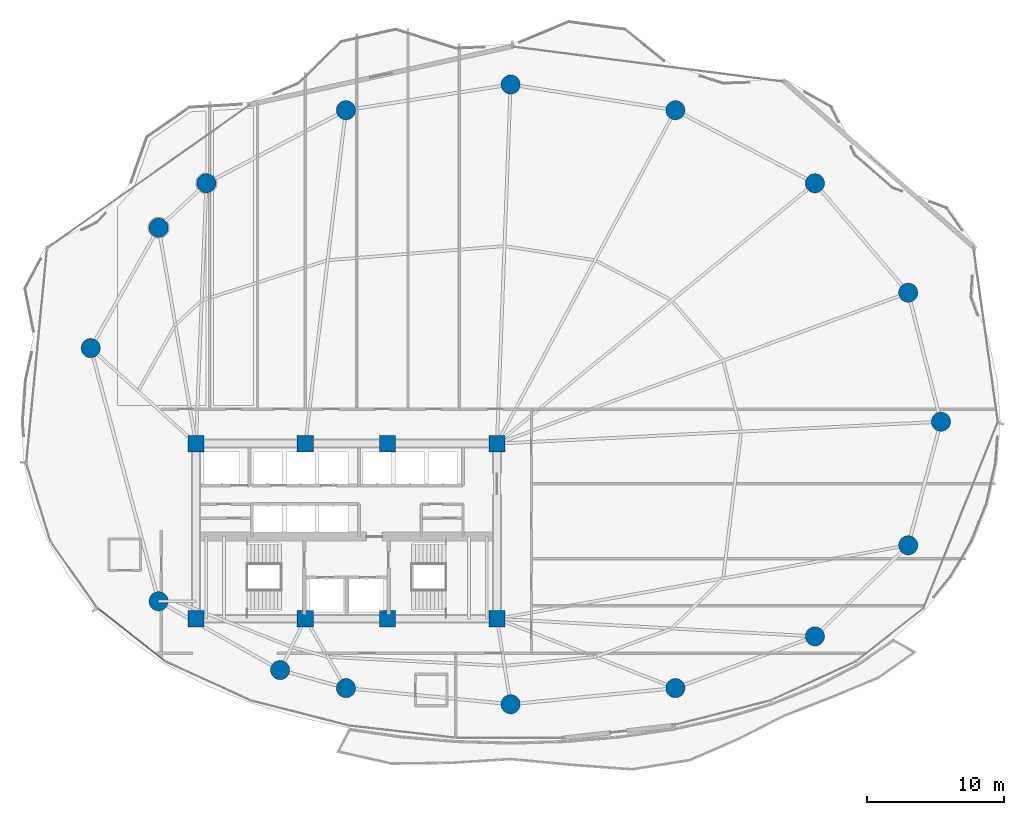
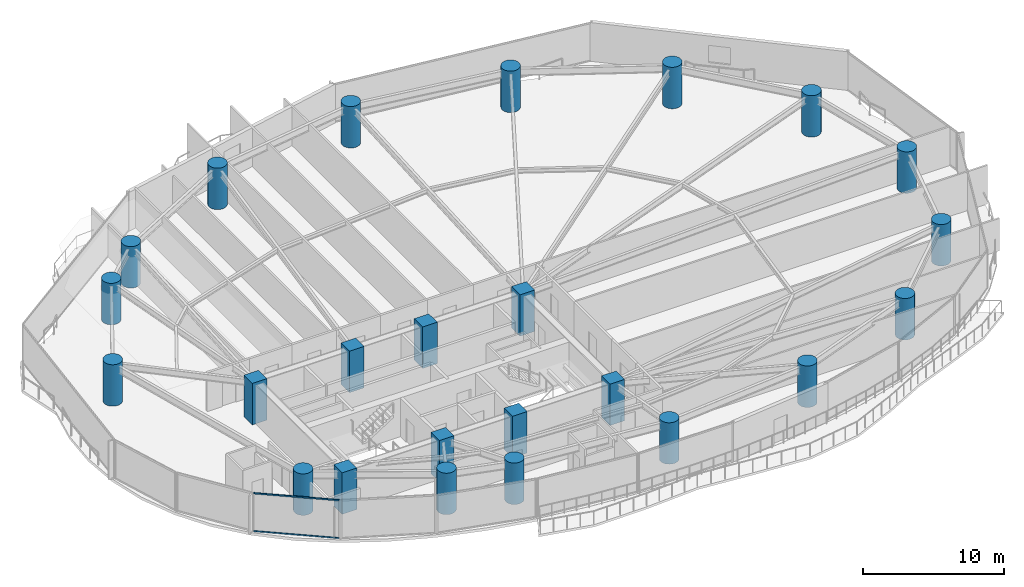
# One storey, part 1 of 31: 24 columns, 2 members, 1 element without a shape of its own.
"""IFC4 building model written with IfcOpenShell, lengths in metres."""

from ifc_helpers import new_model, si_unit, direction, frame, origin, origin_2d, place, context, subcontext, project, spatial, rectangle, hollow_rectangle, circle, extrude, material, layer, layer_set, material_profile, profile_set, type_object, element, aggregate, save


model = new_model("IFC4")

# Units and contexts
model_context = context("Model", 3, precision=1e-05, world=origin(), true_north=direction((0.0, 1.0)))
body_context = subcontext(model_context, "Body", "Model", "MODEL_VIEW")
ifc_project = project(units=[si_unit("LENGTHUNIT", "METRE"), si_unit("AREAUNIT", "SQUARE_METRE"), si_unit("VOLUMEUNIT", "CUBIC_METRE"), si_unit("PLANEANGLEUNIT", "RADIAN"), si_unit("MASSUNIT", "GRAM", prefix="KILO")], contexts=[model_context])

# Site, building, storey
site_placement = place(None, origin())
site = spatial("IfcSite", under=ifc_project, at=site_placement, CompositionType="ELEMENT")
building_placement = place(site_placement, origin())
building = spatial("IfcBuilding", under=site, at=building_placement, Name="Kazevale Care Tower and Concert Hall", CompositionType="ELEMENT")
storey_placement = place(building_placement, frame((0.0, 0.0, 63.60009765625)))
storey = spatial("IfcBuildingStorey", under=building, at=storey_placement, Name="L16", CompositionType="ELEMENT", Elevation=63.60009765625)

# Columns
ifc_material_1 = material(Name="Concrete C70", Category="concrete")
ifc_material_profile_1 = material_profile(ifc_material_1, rectangle(XDim=1.199951171875, YDim=1.199951171875, at=origin_2d()), Name="RC-SQ1200")
ifc_profile_set_1 = profile_set([ifc_material_profile_1], Name="Concrete C70")
column_type_1 = type_object("IfcColumnType", Name="Core Column SQ1200 C70", PredefinedType="COLUMN", material=ifc_profile_set_1)
for number, where, z_axis, x_axis, name in (
    (1, (22.0, 23.60009765625, 0.0), (0.0, 0.0, 1.0), (1.0, 0.0, 0.0), "col:L16:CC-01"),
    (2, (30.0, 23.60009765625, 0.0), (0.0, 0.0, 1.0), (1.0, 0.0, 0.0), "col:L16:CC-02"),
    (3, (36.0, 23.60009765625, 0.0), (0.0, 0.0, 1.0), (1.0, 0.0, 0.0), "col:L16:CC-03"),
    (4, (44.0, 23.60009765625, 0.0), (0.0, 0.0, 1.0), (1.0, 0.0, 0.0), "col:L16:CC-04"),
    (5, (44.0, 36.39990234375, 0.0), (0.0, 0.0, 1.0), (1.0, 0.0, 0.0), "col:L16:CC-05"),
    (6, (36.0, 36.39990234375, 0.0), (0.0, 0.0, 1.0), (1.0, 0.0, 0.0), "col:L16:CC-06"),
    (7, (30.0, 36.39990234375, 0.0), (0.0, 0.0, 1.0), (1.0, 0.0, 0.0), "col:L16:CC-07"),
    (8, (22.0, 36.39990234375, 0.0), (0.0, 0.0, 1.0), (1.0, 0.0, 0.0), "col:L16:CC-08"),
):
    element("IfcColumn", number, at=place(storey_placement, frame(where, z_axis=z_axis, x_axis=x_axis)), inside=storey, type_object=column_type_1, Name=name, PredefinedType="COLUMN", context=body_context, shape_type="SweptSolid", body=[
        extrude(rectangle(XDim=1.199951171875, YDim=1.199951171875, at=origin_2d()), origin(), (0.0, 0.0, 1.0), 3.599853515625),
    ])
ifc_material_profile_2 = material_profile(ifc_material_1, circle(Radius=0.699951171875, at=origin_2d()), Name="RC-CIR1400")
ifc_profile_set_2 = profile_set([ifc_material_profile_2], Name="Concrete C70")
column_type_2 = type_object("IfcColumnType", Name="Perimeter Column CIR1400 C70", PredefinedType="COLUMN", material=ifc_profile_set_2)
for number, where, z_axis, x_axis, name in (
    (9, (76.449951171875, 38.0, 0.0), (0.0, 0.0, 1.0), (1.0, 0.0, 0.0), "col:L16:PC-01"),
    (10, (74.06005859375, 47.429931640625, 0.0), (0.0, 0.0, 1.0), (1.0, 0.0, 0.0), "col:L16:PC-02"),
    (11, (67.239990234375, 55.429931640625, 0.0), (0.0, 0.0, 1.0), (1.0, 0.0, 0.0), "col:L16:PC-03"),
    (12, (57.0400390625, 60.77001953125, 0.0), (0.0, 0.0, 1.0), (1.0, 0.0, 0.0), "col:L16:PC-04"),
    (13, (45.0, 62.64990234375, 0.0), (0.0, 0.0, 1.0), (1.0, 0.0, 0.0), "col:L16:PC-05"),
    (14, (32.9599609375, 60.77001953125, 0.0), (0.0, 0.0, 1.0), (1.0, 0.0, 0.0), "col:L16:PC-06"),
    (15, (22.760009765625, 55.429931640625, 0.0), (0.0, 0.0, 1.0), (1.0, 0.0, 0.0), "col:L16:PC-07"),
    (16, (19.27001953125, 52.179931640625, 0.0), (0.0, 0.0, 1.0), (1.0, 0.0, 0.0), "col:L16:PC-08"),
    (17, (14.31005859375, 43.3798828125, 0.0), (0.0, 0.0, 1.0), (1.0, 0.0, 0.0), "col:L16:PC-09"),
    (18, (19.27001953125, 24.8798828125, 0.0), (0.0, 0.0, 1.0), (1.0, 0.0, 0.0), "col:L16:PC-10"),
    (19, (28.14990234375, 19.85009765625, 0.0), (0.0, 0.0, 1.0), (1.0, 0.0, 0.0), "col:L16:PC-11"),
    (20, (32.9599609375, 18.530029296875, 0.0), (0.0, 0.0, 1.0), (1.0, 0.0, 0.0), "col:L16:PC-12"),
    (21, (45.0, 17.35009765625, 0.0), (0.0, 0.0, 1.0), (1.0, 0.0, 0.0), "col:L16:PC-13"),
    (22, (57.0400390625, 18.530029296875, 0.0), (0.0, 0.0, 1.0), (1.0, 0.0, 0.0), "col:L16:PC-14"),
    (23, (67.239990234375, 22.31005859375, 0.0), (0.0, 0.0, 1.0), (1.0, 0.0, 0.0), "col:L16:PC-15"),
    (24, (74.06005859375, 28.969970703125, 0.0), (0.0, 0.0, 1.0), (1.0, 0.0, 0.0), "col:L16:PC-16"),
):
    element("IfcColumn", number, at=place(storey_placement, frame(where, z_axis=z_axis, x_axis=x_axis)), inside=storey, type_object=column_type_2, Name=name, PredefinedType="COLUMN", context=body_context, shape_type="SweptSolid", body=[
        extrude(circle(Radius=0.699951171875, at=origin_2d()), origin(), (0.0, 0.0, 1.0), 3.599853515625),
    ])

# Curtain wall, members
ifc_material_2 = material(Name="Aluminium 6063-T6 and Low-E Glass", Category="aluminium")
ifc_layer = layer(ifc_material_2, 0.179931640625)
ifc_layer_set = layer_set([ifc_layer], Name="Aluminium 6063-T6 and Low-E Glass")
curtain_wall_type = type_object("IfcCurtainWallType", Name="Sheltered Concave Balcony Curtain Wall CW-5", PredefinedType="NOTDEFINED", material=ifc_layer_set)
curtain_wall_placement = place(storey_placement, origin())
curtain_wall = element("IfcCurtainWall", 25, at=curtain_wall_placement, inside=storey, type_object=curtain_wall_type, Name="cw:L16:f10", PredefinedType="NOTDEFINED")
ifc_material_3 = material(Name="Aluminium 6063-T6", Category="aluminium")
ifc_material_profile_3 = material_profile(ifc_material_3, hollow_rectangle(XDim=0.074951171875, YDim=0.1201171875, WallThickness=0.00390625, at=origin_2d()), Name="ALU75x120x4")
ifc_profile_set_3 = profile_set([ifc_material_profile_3], Name="Aluminium 6063-T6")
member_type = type_object("IfcMemberType", Name="CW-5 Transom ALU75x120x4", PredefinedType="USERDEFINED", material=ifc_profile_set_3)
member_1_placement = place(storey_placement, frame((19.718994140625, 20.513427734375, 0.037353515625), z_axis=(-0.78633897536, 0.617795286344, 0.0), x_axis=(-0.617795286344, -0.78633897536, 0.0)))
member_1 = element("IfcMember", 26, at=member_1_placement, type_object=member_type, Name="CW-5 transom 1.1", ObjectType="TRANSOM", PredefinedType="USERDEFINED", context=body_context, shape_type="SweptSolid", body=[
    extrude(hollow_rectangle(XDim=0.074951171875, YDim=0.1201171875, WallThickness=0.00390625, at=origin_2d()), origin(), (0.0, 0.0, 1.0), 6.15771484375),
])
member_2_placement = place(storey_placement, frame((19.718994140625, 20.513427734375, 3.322509765625), z_axis=(-0.78633897536, 0.617795286344, 0.0), x_axis=(-0.617795286344, -0.78633897536, 0.0)))
member_2 = element("IfcMember", 27, at=member_2_placement, type_object=member_type, Name="CW-5 transom 1.2", ObjectType="TRANSOM", PredefinedType="USERDEFINED", context=body_context, shape_type="SweptSolid", body=[
    extrude(hollow_rectangle(XDim=0.074951171875, YDim=0.1201171875, WallThickness=0.00390625, at=origin_2d()), origin(), (0.0, 0.0, 1.0), 6.15771484375),
])
aggregate(curtain_wall, [member_1, member_2])

save(model, "model.ifc")
